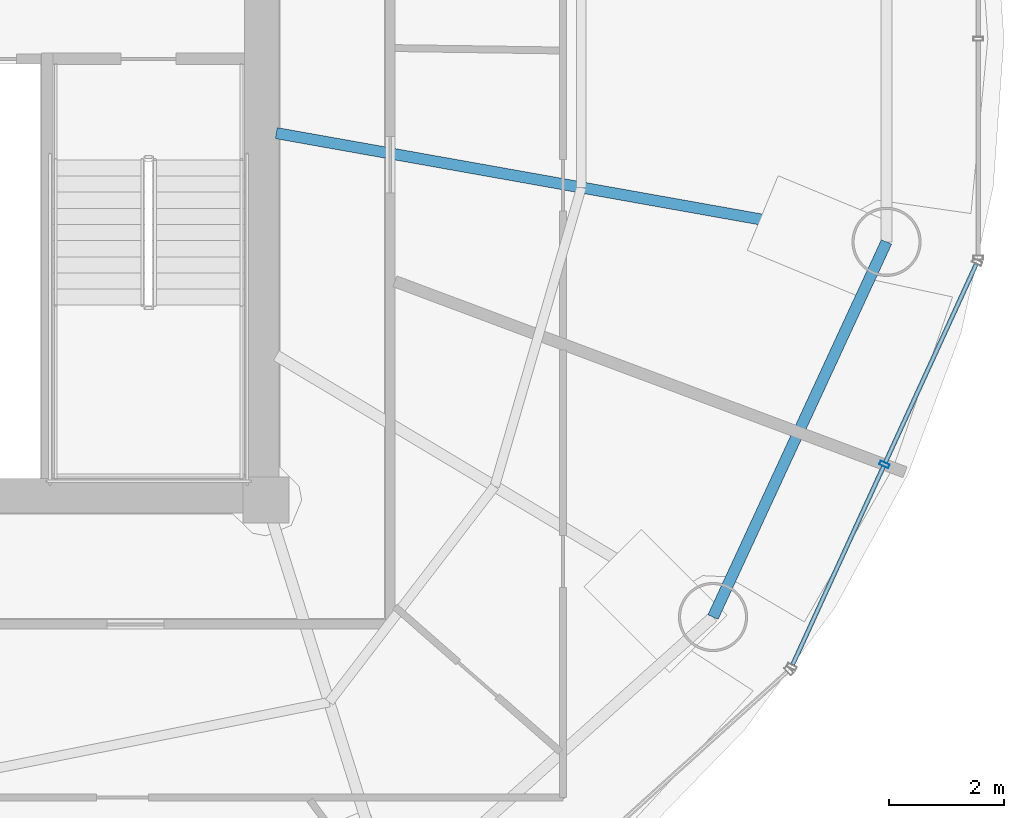
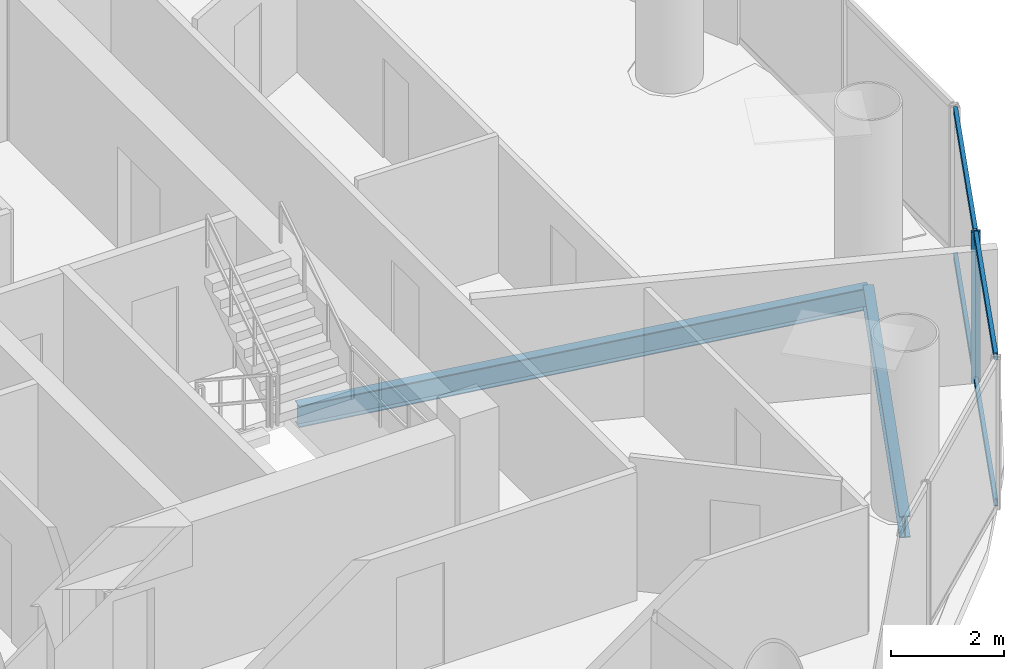
# One storey, part 11 of 26: 5 members, 2 beams, 1 element without a shape of its own.
"""IFC4 building model written with IfcOpenShell, lengths in metres."""

from ifc_helpers import new_model, si_unit, direction, frame, origin, origin_2d, place, context, subcontext, project, spatial, hollow_rectangle, i_section, extrude, source, transform, mapped, material, material_profile, profile_set, type_object, element, aggregate, save


model = new_model("IFC4")

# Units and contexts
model_context = context("Model", 3, precision=1e-05, world=origin(), true_north=direction((-0.2419218956, 0.970295726276)))
body_context = subcontext(model_context, "Body", "Model", "MODEL_VIEW")
ifc_project = project(units=[si_unit("LENGTHUNIT", "METRE"), si_unit("AREAUNIT", "SQUARE_METRE"), si_unit("VOLUMEUNIT", "CUBIC_METRE"), si_unit("PLANEANGLEUNIT", "RADIAN"), si_unit("MASSUNIT", "GRAM", prefix="KILO")], contexts=[model_context])

# Site, building, storey
site_placement = place(None, origin())
site = spatial("IfcSite", under=ifc_project, at=site_placement, CompositionType="ELEMENT")
building_placement = place(site_placement, origin())
building = spatial("IfcBuilding", under=site, at=building_placement, Name="Cobrevalo Terracotta Tower", CompositionType="ELEMENT")
storey_placement = place(building_placement, frame((0.0, 0.0, 239.300048828125)))
storey = spatial("IfcBuildingStorey", under=building, at=storey_placement, Name="L63", CompositionType="ELEMENT", Elevation=239.300048828125)

# Beams
ifc_material_1 = material(Name="Steel S355", Category="steel")
ifc_material_profile_1 = material_profile(ifc_material_1, i_section(OverallWidth=0.194091796875, OverallDepth=0.468994140625, WebThickness=0.011474609375, FlangeThickness=0.0205078125, at=origin_2d()), Name="W 460x106")
ifc_profile_set_1 = profile_set([ifc_material_profile_1], Name="Steel S355")
beam_type_1 = type_object("IfcBeamType", Name="Structural Beam W 460x106 (Steel S355)", PredefinedType="BEAM", material=ifc_profile_set_1)
beam_1_placement = place(storey_placement, frame((57.762939453125, 23.278564453125, -0.49951171875), z_axis=(-0.984493198547, 0.175422752274, 0.0), x_axis=(-0.175422752274, -0.984493198547, 0.0)))
element("IfcBeam", 1, at=beam_1_placement, inside=storey, type_object=beam_type_1, Name="L63 radial floor girder 16", PredefinedType="BEAM", context=body_context, shape_type="SweptSolid", body=[
    extrude(i_section(OverallWidth=0.194091796875, OverallDepth=0.468994140625, WebThickness=0.011474609375, FlangeThickness=0.0205078125, at=origin_2d()), origin(), (0.0, 0.0, 1.0), 10.749755859375),
])
ifc_material_profile_2 = material_profile(ifc_material_1, i_section(OverallWidth=0.194091796875, OverallDepth=0.468994140625, WebThickness=0.011474609375, FlangeThickness=0.0205078125, at=origin_2d()), Name="W 460x106")
ifc_profile_set_2 = profile_set([ifc_material_profile_2], Name="Steel S355")
beam_type_2 = type_object("IfcBeamType", Name="Structural Spandrel W 460x106 (Steel S355)", PredefinedType="SPANDREL", material=ifc_profile_set_2)
beam_2_placement = place(storey_placement, frame((54.754150390625, 16.77197265625, -0.49951171875), z_axis=(0.419718939129, 0.90765412583, 0.0), x_axis=(-0.90765412583, 0.419718939129, 0.0)))
element("IfcBeam", 2, at=beam_2_placement, inside=storey, type_object=beam_type_2, Name="L63 perimeter ring spandrel 15", PredefinedType="SPANDREL", context=body_context, shape_type="SweptSolid", body=[
    extrude(i_section(OverallWidth=0.194091796875, OverallDepth=0.468994140625, WebThickness=0.011474609375, FlangeThickness=0.0205078125, at=origin_2d()), origin(), (0.0, 0.0, 1.0), 7.168701171875),
])

# Curtain wall, members
ifc_material_2 = material(Name="Anodized aluminium", Category="aluminium")
curtain_wall_type = type_object("IfcCurtainWallType", Name="Mid-tower high-wind unitised curtain wall CW-U2", PredefinedType="NOTDEFINED", material=ifc_material_2)
curtain_wall_placement = place(storey_placement, origin())
curtain_wall = element("IfcCurtainWall", 3, at=curtain_wall_placement, inside=storey, type_object=curtain_wall_type, Name="L63 curtain wall CW-L63-S15", PredefinedType="NOTDEFINED")
ifc_material_profile_3 = material_profile(ifc_material_2, hollow_rectangle(XDim=0.074951171875, YDim=0.14990234375, WallThickness=0.00439453125, at=origin_2d()), Name="CWT 75x150")
ifc_profile_set_3 = profile_set([ifc_material_profile_3], Name="Anodized aluminium")
member_type_1 = type_object("IfcMemberType", Name="Tower unitised aluminium transom 75x150", PredefinedType="USERDEFINED", material=ifc_profile_set_3)
shared_shape_1 = source(origin(), body_context, "Body", "SweptSolid", [
    extrude(hollow_rectangle(XDim=0.074951171875, YDim=0.14990234375, WallThickness=0.00439453125, at=origin_2d()), origin(), (0.0, 0.0, 1.0), 3.780029296875),
])
member_1_placement = place(storey_placement, frame((56.134521484375, 15.944580078125, 0.050048828125), z_axis=(0.416705859352, 0.909041377926, 0.0), x_axis=(-0.909041377926, 0.416705859352, 0.0)))
member_1 = element("IfcMember", 4, at=member_1_placement, type_object=member_type_1, Name="CW-L63-S15 transom B01-T1", ObjectType="TRANSOM", PredefinedType="USERDEFINED", context=body_context, shape_type="MappedRepresentation", body=[
    mapped(shared_shape_1, transform((0.0, 0.0, 0.0), scale=1.0)),
])
member_2_placement = place(storey_placement, frame((56.134521484375, 15.944580078125, 3.199951171875), z_axis=(0.416705859352, 0.909041377926, 0.0), x_axis=(-0.909041377926, 0.416705859352, 0.0)))
member_2 = element("IfcMember", 5, at=member_2_placement, type_object=member_type_1, Name="CW-L63-S15 transom B01-T2", ObjectType="TRANSOM", PredefinedType="USERDEFINED", context=body_context, shape_type="MappedRepresentation", body=[
    mapped(shared_shape_1, transform((0.0, 0.0, 0.0), scale=1.0)),
])
member_3_placement = place(storey_placement, frame((57.7431640625, 19.45361328125, 0.050048828125), z_axis=(0.416705859352, 0.909041377926, 0.0), x_axis=(-0.909041377926, 0.416705859352, 0.0)))
member_3 = element("IfcMember", 6, at=member_3_placement, type_object=member_type_1, Name="CW-L63-S15 transom B02-T1", ObjectType="TRANSOM", PredefinedType="USERDEFINED", context=body_context, shape_type="MappedRepresentation", body=[
    mapped(shared_shape_1, transform((0.0, 0.0, 0.0), scale=1.0)),
])
member_4_placement = place(storey_placement, frame((57.7431640625, 19.45361328125, 3.199951171875), z_axis=(0.416705859352, 0.909041377926, 0.0), x_axis=(-0.909041377926, 0.416705859352, 0.0)))
member_4 = element("IfcMember", 7, at=member_4_placement, type_object=member_type_1, Name="CW-L63-S15 transom B02-T2", ObjectType="TRANSOM", PredefinedType="USERDEFINED", context=body_context, shape_type="MappedRepresentation", body=[
    mapped(shared_shape_1, transform((0.0, 0.0, 0.0), scale=1.0)),
])
ifc_material_profile_4 = material_profile(ifc_material_2, hollow_rectangle(XDim=0.070068359375, YDim=0.169921875, WallThickness=0.00439453125, at=origin_2d()), Name="CWM 70x170")
ifc_profile_set_4 = profile_set([ifc_material_profile_4], Name="Anodized aluminium")
member_type_2 = type_object("IfcMemberType", Name="Upper tower unitised mullion 70x170", PredefinedType="MULLION", material=ifc_profile_set_4)
shared_shape_2 = source(origin(), body_context, "Body", "SweptSolid", [
    extrude(hollow_rectangle(XDim=0.070068359375, YDim=0.169921875, WallThickness=0.00439453125, at=origin_2d()), origin(), (0.0, 0.0, 1.0), 3.25),
])
member_5_placement = place(storey_placement, frame((57.726318359375, 19.417236328125, 0.0), z_axis=(0.0, 0.0, 1.0), x_axis=(0.41672507912, 0.909032567311, 0.0)))
member_5 = element("IfcMember", 8, at=member_5_placement, type_object=member_type_2, Name="CW-L63-S15 vertical mullion 02", PredefinedType="MULLION", context=body_context, shape_type="MappedRepresentation", body=[
    mapped(shared_shape_2, transform((0.0, 0.0, 0.0), scale=1.0)),
])
aggregate(curtain_wall, [member_5, member_1, member_2, member_3, member_4])

save(model, "model.ifc")
